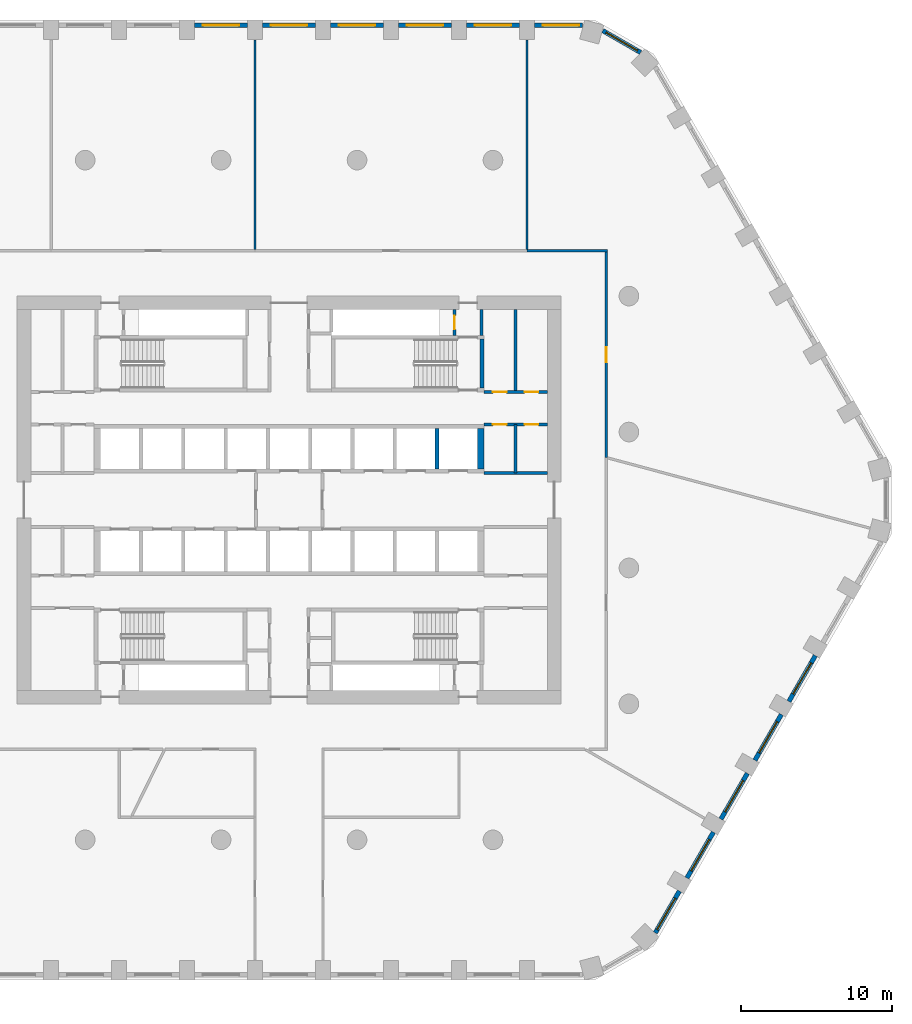
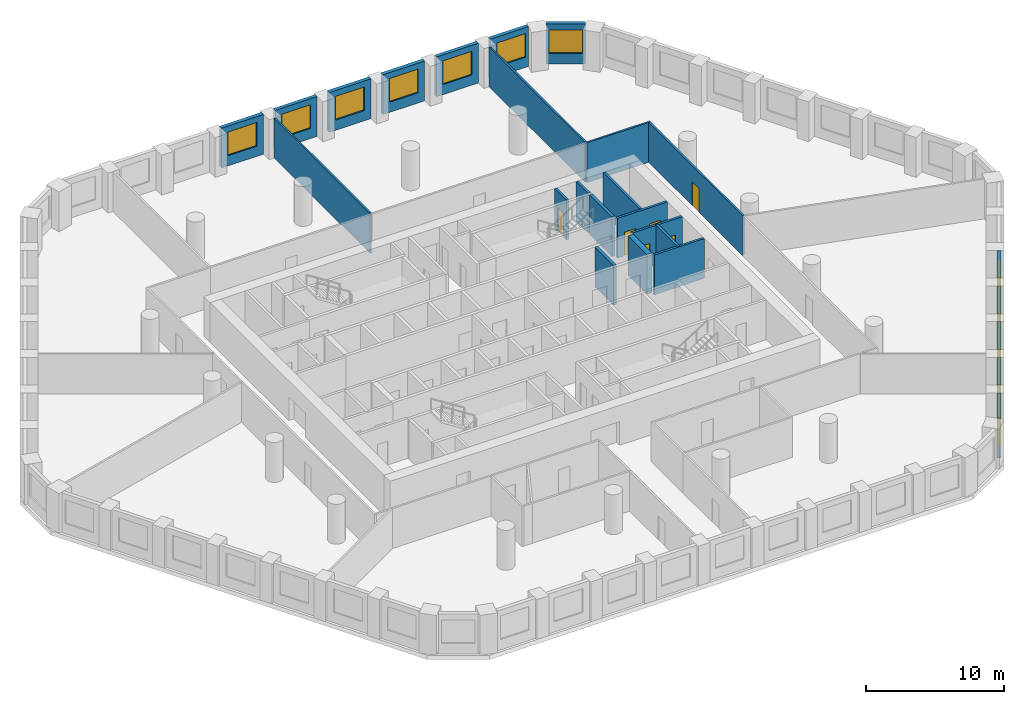
# One storey, part 7 of 9: 26 walls, 12 windows, 6 doors, 18 openings.
"""IFC4 building model written with IfcOpenShell, lengths in metres."""

from ifc_helpers import new_model, si_unit, direction, frame, frame_2d, origin, place, context, subcontext, project, spatial, polyline, rectangle, outline, extrude, material, layer, layer_set, type_object, element, fill, save


model = new_model("IFC4")

# Units and contexts
model_context = context("Model", 3, precision=1e-05, world=origin(), true_north=direction((0.0, 1.0)))
body_context = subcontext(model_context, "Body", "Model", "MODEL_VIEW")
ifc_project = project(units=[si_unit("LENGTHUNIT", "METRE"), si_unit("AREAUNIT", "SQUARE_METRE"), si_unit("VOLUMEUNIT", "CUBIC_METRE"), si_unit("PLANEANGLEUNIT", "RADIAN"), si_unit("MASSUNIT", "GRAM", prefix="KILO")], contexts=[model_context])

# Site, building, storey
site_placement = place(None, origin())
site = spatial("IfcSite", under=ifc_project, at=site_placement, CompositionType="ELEMENT")
building_placement = place(site_placement, origin())
building = spatial("IfcBuilding", under=site, at=building_placement, Name="Dhurran Vertical Campus", CompositionType="ELEMENT")
storey_placement = place(building_placement, frame((0.0, 0.0, 116.39990234375)))
storey = spatial("IfcBuildingStorey", under=building, at=storey_placement, Name="L28", CompositionType="ELEMENT", Elevation=116.39990234375)

# Wall, opening, window
ifc_material_1 = material(Name="Precast concrete C50/60", Category="concrete")
ifc_layer_1 = layer(ifc_material_1, 0.300048828125)
ifc_layer_set_1 = layer_set([ifc_layer_1], Name="Precast concrete C50/60")
wall_type_1 = type_object("IfcWallType", Name="Precast spandrel wall 300", PredefinedType="SOLIDWALL", material=ifc_layer_set_1)
wall_1_placement = place(storey_placement, frame((24.24755859375, -28.65576171875, 0.0), z_axis=(0.0, 0.0, 1.0), x_axis=(0.500004907028, 0.866022570692, 0.0)))
wall_1 = element("IfcWall", 1, at=wall_1_placement, inside=storey, type_object=wall_type_1, Name="EW1 L28.10", PredefinedType="SOLIDWALL", context=body_context, shape_type="SweptSolid", body=[
    extrude(rectangle(XDim=3.1923828125, YDim=0.300048828125, at=frame_2d((1.59619140625, 0.0))), origin(), (0.0, 0.0, 1.0), 3.525146484375),
])
opening_1_placement = place(wall_1_placement, frame((0.242919921875, 0.0, 0.89990234375)))
opening_1 = element("IfcOpeningElement", 2, at=opening_1_placement, cuts=wall_1, Name="Opening WT1", PredefinedType="OPENING", context=body_context, shape_type="SweptSolid", body=[
    extrude(rectangle(XDim=2.39990234375, YDim=2.10009765625, at=frame_2d((1.199951171875, 1.050048828125))), frame((0.0, 0.159912109375, 0.0), z_axis=(0.0, -1.0, 0.0), x_axis=(1.0, 0.0, 0.0)), (0.0, 0.0, 1.0), 0.320068359375),
])
ifc_material_2 = material(Name="Aluminium frame with solar-control glass", Category="aluminium")
window_type = type_object("IfcWindowType", Name="Punched window 2400 x 2100", PartitioningType="SINGLE_PANEL", PredefinedType="WINDOW", material=ifc_material_2)
window_1_placement = place(opening_1_placement, origin())
window_1 = element("IfcWindow", 3, at=window_1_placement, inside=storey, type_object=window_type, Name="WT1 L28.10", OverallHeight=2.10009765625, OverallWidth=2.39990234375, PartitioningType="SINGLE_PANEL", PredefinedType="WINDOW", context=body_context, shape_type="SweptSolid", body=[
    extrude(rectangle(XDim=2.39990234375, YDim=2.10009765625, at=frame_2d((1.199951171875, 1.050048828125))), frame((0.0, 0.030029296875, 0.0), z_axis=(0.0, -1.0, 0.0), x_axis=(1.0, 0.0, 0.0)), (0.0, 0.0, 1.0), 0.06005859375),
])
fill(opening_1, window_1)

wall_2_placement = place(storey_placement, frame((26.34423828125, -25.024169921875, 0.0), z_axis=(0.0, 0.0, 1.0), x_axis=(0.499996256241, 0.866027565234, 0.0)))
wall_2 = element("IfcWall", 4, at=wall_2_placement, inside=storey, type_object=wall_type_1, Name="EW1 L28.11", PredefinedType="SOLIDWALL", context=body_context, shape_type="SweptSolid", body=[
    extrude(rectangle(XDim=3.4990234375, YDim=0.300048828125, at=frame_2d((1.74951171875, 0.0))), origin(), (0.0, 0.0, 1.0), 3.525146484375),
])
opening_2_placement = place(wall_2_placement, frame((0.549560546875, 0.0, 0.89990234375)))
opening_2 = element("IfcOpeningElement", 5, at=opening_2_placement, cuts=wall_2, Name="Opening WT1", PredefinedType="OPENING", context=body_context, shape_type="SweptSolid", body=[
    extrude(rectangle(XDim=2.39990234375, YDim=2.10009765625, at=frame_2d((1.199951171875, 1.050048828125))), frame((0.0, 0.159912109375, 0.0), z_axis=(0.0, -1.0, 0.0), x_axis=(1.0, 0.0, 0.0)), (0.0, 0.0, 1.0), 0.320068359375),
])
window_2_placement = place(opening_2_placement, origin())
window_2 = element("IfcWindow", 6, at=window_2_placement, inside=storey, type_object=window_type, Name="WT1 L28.11", OverallHeight=2.10009765625, OverallWidth=2.39990234375, PartitioningType="SINGLE_PANEL", PredefinedType="WINDOW", context=body_context, shape_type="SweptSolid", body=[
    extrude(rectangle(XDim=2.39990234375, YDim=2.10009765625, at=frame_2d((1.199951171875, 1.050048828125))), frame((0.0, 0.030029296875, 0.0), z_axis=(0.0, -1.0, 0.0), x_axis=(1.0, 0.0, 0.0)), (0.0, 0.0, 1.0), 0.06005859375),
])
fill(opening_2, window_2)

wall_3_placement = place(storey_placement, frame((28.59423828125, -21.127197265625, 0.0), z_axis=(0.0, 0.0, 1.0), x_axis=(0.499996256241, 0.866027565234, 0.0)))
wall_3 = element("IfcWall", 7, at=wall_3_placement, inside=storey, type_object=wall_type_1, Name="EW1 L28.12", PredefinedType="SOLIDWALL", context=body_context, shape_type="SweptSolid", body=[
    extrude(rectangle(XDim=3.4990234375, YDim=0.300048828125, at=frame_2d((1.74951171875, 0.0))), origin(), (0.0, 0.0, 1.0), 3.525146484375),
])
opening_3_placement = place(wall_3_placement, frame((0.549560546875, 0.0, 0.89990234375)))
opening_3 = element("IfcOpeningElement", 8, at=opening_3_placement, cuts=wall_3, Name="Opening WT1", PredefinedType="OPENING", context=body_context, shape_type="SweptSolid", body=[
    extrude(rectangle(XDim=2.39990234375, YDim=2.10009765625, at=frame_2d((1.199951171875, 1.050048828125))), frame((0.0, 0.159912109375, 0.0), z_axis=(0.0, -1.0, 0.0), x_axis=(1.0, 0.0, 0.0)), (0.0, 0.0, 1.0), 0.320068359375),
])
window_3_placement = place(opening_3_placement, origin())
window_3 = element("IfcWindow", 9, at=window_3_placement, inside=storey, type_object=window_type, Name="WT1 L28.12", OverallHeight=2.10009765625, OverallWidth=2.39990234375, PartitioningType="SINGLE_PANEL", PredefinedType="WINDOW", context=body_context, shape_type="SweptSolid", body=[
    extrude(rectangle(XDim=2.39990234375, YDim=2.10009765625, at=frame_2d((1.199951171875, 1.050048828125))), frame((0.0, 0.030029296875, 0.0), z_axis=(0.0, -1.0, 0.0), x_axis=(1.0, 0.0, 0.0)), (0.0, 0.0, 1.0), 0.06005859375),
])
fill(opening_3, window_3)

wall_4_placement = place(storey_placement, frame((30.84423828125, -17.22998046875, 0.0), z_axis=(0.0, 0.0, 1.0), x_axis=(0.499996256241, 0.866027565234, 0.0)))
wall_4 = element("IfcWall", 10, at=wall_4_placement, inside=storey, type_object=wall_type_1, Name="EW1 L28.13", PredefinedType="SOLIDWALL", context=body_context, shape_type="SweptSolid", body=[
    extrude(rectangle(XDim=3.4990234375, YDim=0.300048828125, at=frame_2d((1.74951171875, 0.0))), origin(), (0.0, 0.0, 1.0), 3.525146484375),
])
opening_4_placement = place(wall_4_placement, frame((0.549560546875, 0.0, 0.89990234375)))
opening_4 = element("IfcOpeningElement", 11, at=opening_4_placement, cuts=wall_4, Name="Opening WT1", PredefinedType="OPENING", context=body_context, shape_type="SweptSolid", body=[
    extrude(rectangle(XDim=2.39990234375, YDim=2.10009765625, at=frame_2d((1.199951171875, 1.050048828125))), frame((0.0, 0.159912109375, 0.0), z_axis=(0.0, -1.0, 0.0), x_axis=(1.0, 0.0, 0.0)), (0.0, 0.0, 1.0), 0.320068359375),
])
window_4_placement = place(opening_4_placement, origin())
window_4 = element("IfcWindow", 12, at=window_4_placement, inside=storey, type_object=window_type, Name="WT1 L28.13", OverallHeight=2.10009765625, OverallWidth=2.39990234375, PartitioningType="SINGLE_PANEL", PredefinedType="WINDOW", context=body_context, shape_type="SweptSolid", body=[
    extrude(rectangle(XDim=2.39990234375, YDim=2.10009765625, at=frame_2d((1.199951171875, 1.050048828125))), frame((0.0, 0.030029296875, 0.0), z_axis=(0.0, -1.0, 0.0), x_axis=(1.0, 0.0, 0.0)), (0.0, 0.0, 1.0), 0.06005859375),
])
fill(opening_4, window_4)

wall_5_placement = place(storey_placement, frame((33.09423828125, -13.3330078125, 0.0), z_axis=(0.0, 0.0, 1.0), x_axis=(0.499996256241, 0.866027565234, 0.0)))
wall_5 = element("IfcWall", 13, at=wall_5_placement, inside=storey, type_object=wall_type_1, Name="EW1 L28.14", PredefinedType="SOLIDWALL", context=body_context, shape_type="SweptSolid", body=[
    extrude(rectangle(XDim=3.4990234375, YDim=0.300048828125, at=frame_2d((1.74951171875, 0.0))), origin(), (0.0, 0.0, 1.0), 3.525146484375),
])
opening_5_placement = place(wall_5_placement, frame((0.549560546875, 0.0, 0.89990234375)))
opening_5 = element("IfcOpeningElement", 14, at=opening_5_placement, cuts=wall_5, Name="Opening WT1", PredefinedType="OPENING", context=body_context, shape_type="SweptSolid", body=[
    extrude(rectangle(XDim=2.39990234375, YDim=2.10009765625, at=frame_2d((1.199951171875, 1.050048828125))), frame((0.0, 0.159912109375, 0.0), z_axis=(0.0, -1.0, 0.0), x_axis=(1.0, 0.0, 0.0)), (0.0, 0.0, 1.0), 0.320068359375),
])
window_5_placement = place(opening_5_placement, origin())
window_5 = element("IfcWindow", 15, at=window_5_placement, inside=storey, type_object=window_type, Name="WT1 L28.14", OverallHeight=2.10009765625, OverallWidth=2.39990234375, PartitioningType="SINGLE_PANEL", PredefinedType="WINDOW", context=body_context, shape_type="SweptSolid", body=[
    extrude(rectangle(XDim=2.39990234375, YDim=2.10009765625, at=frame_2d((1.199951171875, 1.050048828125))), frame((0.0, 0.030029296875, 0.0), z_axis=(0.0, -1.0, 0.0), x_axis=(1.0, 0.0, 0.0)), (0.0, 0.0, 1.0), 0.06005859375),
])
fill(opening_5, window_5)

wall_6_placement = place(storey_placement, frame((23.273193359375, 29.63037109375, 0.0), z_axis=(0.0, 0.0, 1.0), x_axis=(-0.866053149362, 0.49995194017, 0.0)))
wall_6 = element("IfcWall", 16, at=wall_6_placement, inside=storey, type_object=wall_type_1, Name="EW1 L28.25", PredefinedType="SOLIDWALL", context=body_context, shape_type="SweptSolid", body=[
    extrude(rectangle(XDim=2.885498046875, YDim=0.300048828125, at=frame_2d((1.44287109375, 0.0))), origin(), (0.0, 0.0, 1.0), 3.525146484375),
])
opening_6_placement = place(wall_6_placement, frame((0.242919921875, 0.0, 0.89990234375)))
opening_6 = element("IfcOpeningElement", 17, at=opening_6_placement, cuts=wall_6, Name="Opening WT1", PredefinedType="OPENING", context=body_context, shape_type="SweptSolid", body=[
    extrude(rectangle(XDim=2.39990234375, YDim=2.10009765625, at=frame_2d((1.199951171875, 1.050048828125))), frame((0.0, 0.159912109375, 0.0), z_axis=(0.0, -1.0, 0.0), x_axis=(1.0, 0.0, 0.0)), (0.0, 0.0, 1.0), 0.320068359375),
])
window_6_placement = place(opening_6_placement, origin())
window_6 = element("IfcWindow", 18, at=window_6_placement, inside=storey, type_object=window_type, Name="WT1 L28.25", OverallHeight=2.10009765625, OverallWidth=2.39990234375, PartitioningType="SINGLE_PANEL", PredefinedType="WINDOW", context=body_context, shape_type="SweptSolid", body=[
    extrude(rectangle(XDim=2.39990234375, YDim=2.10009765625, at=frame_2d((1.199951171875, 1.050048828125))), frame((0.0, 0.030029296875, 0.0), z_axis=(0.0, -1.0, 0.0), x_axis=(1.0, 0.0, 0.0)), (0.0, 0.0, 1.0), 0.06005859375),
])
fill(opening_6, window_6)

wall_7_placement = place(storey_placement, frame((19.44287109375, 31.4296875, 0.0), z_axis=(0.0, 0.0, 1.0), x_axis=(-1.0, 0.0, 0.0)))
wall_7 = element("IfcWall", 19, at=wall_7_placement, inside=storey, type_object=wall_type_1, Name="EW1 L28.26", PredefinedType="SOLIDWALL", context=body_context, shape_type="SweptSolid", body=[
    extrude(rectangle(XDim=3.1923828125, YDim=0.300048828125, at=frame_2d((1.59619140625, 0.0))), origin(), (0.0, 0.0, 1.0), 3.525146484375),
])
opening_7_placement = place(wall_7_placement, frame((0.242919921875, 0.0, 0.89990234375)))
opening_7 = element("IfcOpeningElement", 20, at=opening_7_placement, cuts=wall_7, Name="Opening WT1", PredefinedType="OPENING", context=body_context, shape_type="SweptSolid", body=[
    extrude(rectangle(XDim=2.39990234375, YDim=2.10009765625, at=frame_2d((1.199951171875, 1.050048828125))), frame((0.0, 0.159912109375, 0.0), z_axis=(0.0, -1.0, 0.0), x_axis=(1.0, 0.0, 0.0)), (0.0, 0.0, 1.0), 0.320068359375),
])
window_7_placement = place(opening_7_placement, origin())
window_7 = element("IfcWindow", 21, at=window_7_placement, inside=storey, type_object=window_type, Name="WT1 L28.26", OverallHeight=2.10009765625, OverallWidth=2.39990234375, PartitioningType="SINGLE_PANEL", PredefinedType="WINDOW", context=body_context, shape_type="SweptSolid", body=[
    extrude(rectangle(XDim=2.39990234375, YDim=2.10009765625, at=frame_2d((1.199951171875, 1.050048828125))), frame((0.0, 0.030029296875, 0.0), z_axis=(0.0, -1.0, 0.0), x_axis=(1.0, 0.0, 0.0)), (0.0, 0.0, 1.0), 0.06005859375),
])
fill(opening_7, window_7)

wall_8_placement = place(storey_placement, frame((15.24951171875, 31.4296875, 0.0), z_axis=(0.0, 0.0, 1.0), x_axis=(-1.0, 0.0, 0.0)))
wall_8 = element("IfcWall", 22, at=wall_8_placement, inside=storey, type_object=wall_type_1, Name="EW1 L28.27", PredefinedType="SOLIDWALL", context=body_context, shape_type="SweptSolid", body=[
    extrude(rectangle(XDim=3.4990234375, YDim=0.300048828125, at=frame_2d((1.74951171875, 0.0))), origin(), (0.0, 0.0, 1.0), 3.525146484375),
])
opening_8_placement = place(wall_8_placement, frame((0.549560546875, 0.0, 0.89990234375)))
opening_8 = element("IfcOpeningElement", 23, at=opening_8_placement, cuts=wall_8, Name="Opening WT1", PredefinedType="OPENING", context=body_context, shape_type="SweptSolid", body=[
    extrude(rectangle(XDim=2.39990234375, YDim=2.10009765625, at=frame_2d((1.199951171875, 1.050048828125))), frame((0.0, 0.159912109375, 0.0), z_axis=(0.0, -1.0, 0.0), x_axis=(1.0, 0.0, 0.0)), (0.0, 0.0, 1.0), 0.320068359375),
])
window_8_placement = place(opening_8_placement, origin())
window_8 = element("IfcWindow", 24, at=window_8_placement, inside=storey, type_object=window_type, Name="WT1 L28.27", OverallHeight=2.10009765625, OverallWidth=2.39990234375, PartitioningType="SINGLE_PANEL", PredefinedType="WINDOW", context=body_context, shape_type="SweptSolid", body=[
    extrude(rectangle(XDim=2.39990234375, YDim=2.10009765625, at=frame_2d((1.199951171875, 1.050048828125))), frame((0.0, 0.030029296875, 0.0), z_axis=(0.0, -1.0, 0.0), x_axis=(1.0, 0.0, 0.0)), (0.0, 0.0, 1.0), 0.06005859375),
])
fill(opening_8, window_8)

wall_9_placement = place(storey_placement, frame((10.74951171875, 31.4296875, 0.0), z_axis=(0.0, 0.0, 1.0), x_axis=(-1.0, 0.0, 0.0)))
wall_9 = element("IfcWall", 25, at=wall_9_placement, inside=storey, type_object=wall_type_1, Name="EW1 L28.28", PredefinedType="SOLIDWALL", context=body_context, shape_type="SweptSolid", body=[
    extrude(rectangle(XDim=3.4990234375, YDim=0.300048828125, at=frame_2d((1.74951171875, 0.0))), origin(), (0.0, 0.0, 1.0), 3.525146484375),
])
opening_9_placement = place(wall_9_placement, frame((0.549560546875, 0.0, 0.89990234375)))
opening_9 = element("IfcOpeningElement", 26, at=opening_9_placement, cuts=wall_9, Name="Opening WT1", PredefinedType="OPENING", context=body_context, shape_type="SweptSolid", body=[
    extrude(rectangle(XDim=2.39990234375, YDim=2.10009765625, at=frame_2d((1.199951171875, 1.050048828125))), frame((0.0, 0.159912109375, 0.0), z_axis=(0.0, -1.0, 0.0), x_axis=(1.0, 0.0, 0.0)), (0.0, 0.0, 1.0), 0.320068359375),
])
window_9_placement = place(opening_9_placement, origin())
window_9 = element("IfcWindow", 27, at=window_9_placement, inside=storey, type_object=window_type, Name="WT1 L28.28", OverallHeight=2.10009765625, OverallWidth=2.39990234375, PartitioningType="SINGLE_PANEL", PredefinedType="WINDOW", context=body_context, shape_type="SweptSolid", body=[
    extrude(rectangle(XDim=2.39990234375, YDim=2.10009765625, at=frame_2d((1.199951171875, 1.050048828125))), frame((0.0, 0.030029296875, 0.0), z_axis=(0.0, -1.0, 0.0), x_axis=(1.0, 0.0, 0.0)), (0.0, 0.0, 1.0), 0.06005859375),
])
fill(opening_9, window_9)

wall_10_placement = place(storey_placement, frame((6.24951171875, 31.4296875, 0.0), z_axis=(0.0, 0.0, 1.0), x_axis=(-1.0, 0.0, 0.0)))
wall_10 = element("IfcWall", 28, at=wall_10_placement, inside=storey, type_object=wall_type_1, Name="EW1 L28.29", PredefinedType="SOLIDWALL", context=body_context, shape_type="SweptSolid", body=[
    extrude(rectangle(XDim=3.4990234375, YDim=0.300048828125, at=frame_2d((1.74951171875, 0.0))), origin(), (0.0, 0.0, 1.0), 3.525146484375),
])
opening_10_placement = place(wall_10_placement, frame((0.549560546875, 0.0, 0.89990234375)))
opening_10 = element("IfcOpeningElement", 29, at=opening_10_placement, cuts=wall_10, Name="Opening WT1", PredefinedType="OPENING", context=body_context, shape_type="SweptSolid", body=[
    extrude(rectangle(XDim=2.39990234375, YDim=2.10009765625, at=frame_2d((1.199951171875, 1.050048828125))), frame((0.0, 0.159912109375, 0.0), z_axis=(0.0, -1.0, 0.0), x_axis=(1.0, 0.0, 0.0)), (0.0, 0.0, 1.0), 0.320068359375),
])
window_10_placement = place(opening_10_placement, origin())
window_10 = element("IfcWindow", 30, at=window_10_placement, inside=storey, type_object=window_type, Name="WT1 L28.29", OverallHeight=2.10009765625, OverallWidth=2.39990234375, PartitioningType="SINGLE_PANEL", PredefinedType="WINDOW", context=body_context, shape_type="SweptSolid", body=[
    extrude(rectangle(XDim=2.39990234375, YDim=2.10009765625, at=frame_2d((1.199951171875, 1.050048828125))), frame((0.0, 0.030029296875, 0.0), z_axis=(0.0, -1.0, 0.0), x_axis=(1.0, 0.0, 0.0)), (0.0, 0.0, 1.0), 0.06005859375),
])
fill(opening_10, window_10)

wall_11_placement = place(storey_placement, frame((1.74951171875, 31.4296875, 0.0), z_axis=(0.0, 0.0, 1.0), x_axis=(-1.0, 0.0, 0.0)))
wall_11 = element("IfcWall", 31, at=wall_11_placement, inside=storey, type_object=wall_type_1, Name="EW1 L28.30", PredefinedType="SOLIDWALL", context=body_context, shape_type="SweptSolid", body=[
    extrude(rectangle(XDim=3.4990234375, YDim=0.300048828125, at=frame_2d((1.74951171875, 0.0))), origin(), (0.0, 0.0, 1.0), 3.525146484375),
])
opening_11_placement = place(wall_11_placement, frame((0.549560546875, 0.0, 0.89990234375)))
opening_11 = element("IfcOpeningElement", 32, at=opening_11_placement, cuts=wall_11, Name="Opening WT1", PredefinedType="OPENING", context=body_context, shape_type="SweptSolid", body=[
    extrude(rectangle(XDim=2.39990234375, YDim=2.10009765625, at=frame_2d((1.199951171875, 1.050048828125))), frame((0.0, 0.159912109375, 0.0), z_axis=(0.0, -1.0, 0.0), x_axis=(1.0, 0.0, 0.0)), (0.0, 0.0, 1.0), 0.320068359375),
])
window_11_placement = place(opening_11_placement, origin())
window_11 = element("IfcWindow", 33, at=window_11_placement, inside=storey, type_object=window_type, Name="WT1 L28.30", OverallHeight=2.10009765625, OverallWidth=2.39990234375, PartitioningType="SINGLE_PANEL", PredefinedType="WINDOW", context=body_context, shape_type="SweptSolid", body=[
    extrude(rectangle(XDim=2.39990234375, YDim=2.10009765625, at=frame_2d((1.199951171875, 1.050048828125))), frame((0.0, 0.030029296875, 0.0), z_axis=(0.0, -1.0, 0.0), x_axis=(1.0, 0.0, 0.0)), (0.0, 0.0, 1.0), 0.06005859375),
])
fill(opening_11, window_11)

wall_12_placement = place(storey_placement, frame((-2.75048828125, 31.4296875, 0.0), z_axis=(0.0, 0.0, 1.0), x_axis=(-1.0, 0.0, 0.0)))
wall_12 = element("IfcWall", 34, at=wall_12_placement, inside=storey, type_object=wall_type_1, Name="EW1 L28.31", PredefinedType="SOLIDWALL", context=body_context, shape_type="SweptSolid", body=[
    extrude(rectangle(XDim=3.4990234375, YDim=0.300048828125, at=frame_2d((1.74951171875, 0.0))), origin(), (0.0, 0.0, 1.0), 3.525146484375),
])
opening_12_placement = place(wall_12_placement, frame((0.549560546875, 0.0, 0.89990234375)))
opening_12 = element("IfcOpeningElement", 35, at=opening_12_placement, cuts=wall_12, Name="Opening WT1", PredefinedType="OPENING", context=body_context, shape_type="SweptSolid", body=[
    extrude(rectangle(XDim=2.39990234375, YDim=2.10009765625, at=frame_2d((1.199951171875, 1.050048828125))), frame((0.0, 0.159912109375, 0.0), z_axis=(0.0, -1.0, 0.0), x_axis=(1.0, 0.0, 0.0)), (0.0, 0.0, 1.0), 0.320068359375),
])
window_12_placement = place(opening_12_placement, origin())
window_12 = element("IfcWindow", 36, at=window_12_placement, inside=storey, type_object=window_type, Name="WT1 L28.31", OverallHeight=2.10009765625, OverallWidth=2.39990234375, PartitioningType="SINGLE_PANEL", PredefinedType="WINDOW", context=body_context, shape_type="SweptSolid", body=[
    extrude(rectangle(XDim=2.39990234375, YDim=2.10009765625, at=frame_2d((1.199951171875, 1.050048828125))), frame((0.0, 0.030029296875, 0.0), z_axis=(0.0, -1.0, 0.0), x_axis=(1.0, 0.0, 0.0)), (0.0, 0.0, 1.0), 0.06005859375),
])
fill(opening_12, window_12)

# Wall
ifc_material_3 = material(Name="Fire-rated masonry blockwork", Category="masonry")
ifc_layer_2 = layer(ifc_material_3, 0.199951171875)
ifc_layer_set_2 = layer_set([ifc_layer_2], Name="Fire-rated masonry blockwork")
wall_type_2 = type_object("IfcWallType", Name="co-FIRE-PARTITION-200", PredefinedType="PARTITIONING", material=ifc_layer_set_2)
wall_13_placement = place(storey_placement, frame((12.75, 10.89990234375, 0.0), z_axis=(0.0, 0.0, 1.0), x_axis=(0.0, 1.0, 0.0)))
element("IfcWall", 37, at=wall_13_placement, inside=storey, type_object=wall_type_2, Name="Core partition pass-ST2-o L28", PredefinedType="PARTITIONING", context=body_context, shape_type="SweptSolid", body=[
    extrude(rectangle(XDim=1.7001953125, YDim=0.199951171875, at=frame_2d((0.85009765625, 0.0))), origin(), (0.0, 0.0, 1.0), 3.525146484375),
])

# Wall, opening, door
wall_14_placement = place(storey_placement, frame((10.949951171875, 10.89990234375, 0.0), z_axis=(0.0, 0.0, 1.0), x_axis=(0.0, 1.0, 0.0)))
wall_14 = element("IfcWall", 38, at=wall_14_placement, inside=storey, type_object=wall_type_2, Name="Core partition pass-ST2-i L28", PredefinedType="PARTITIONING", context=body_context, shape_type="SweptSolid", body=[
    extrude(rectangle(XDim=1.7001953125, YDim=0.199951171875, at=frame_2d((0.85009765625, 0.0))), origin(), (0.0, 0.0, 1.0), 3.525146484375),
])
opening_13_placement = place(wall_14_placement, frame((0.39990234375, 0.0, 0.0)))
opening_13 = element("IfcOpeningElement", 39, at=opening_13_placement, cuts=wall_14, Name="Opening T08-C10", PredefinedType="OPENING", context=body_context, shape_type="SweptSolid", body=[
    extrude(rectangle(XDim=0.89990234375, YDim=2.10009765625, at=frame_2d((0.449951171875, 1.050048828125))), frame((0.0, 0.10986328125, 0.0), z_axis=(0.0, -1.0, 0.0), x_axis=(1.0, 0.0, 0.0)), (0.0, 0.0, 1.0), 0.219970703125),
])
ifc_material_4 = material(Name="Fire-rated timber door set", Category="wood")
door_type_1 = type_object("IfcDoorType", Name="co-D-ROOM 900x2100", OperationType="SINGLE_SWING_LEFT", PredefinedType="DOOR", material=ifc_material_4)
door_1_placement = place(opening_13_placement, origin())
door_1 = element("IfcDoor", 40, at=door_1_placement, inside=storey, type_object=door_type_1, Name="Riser room door L28", OperationType="SINGLE_SWING_LEFT", OverallHeight=2.10009765625, OverallWidth=0.89990234375, PredefinedType="DOOR", context=body_context, shape_type="SweptSolid", body=[
    extrude(rectangle(XDim=0.89990234375, YDim=2.10009765625, at=frame_2d((0.449951171875, 1.050048828125))), frame((0.0, 0.02490234375, 0.0), z_axis=(0.0, -1.0, 0.0), x_axis=(1.0, 0.0, 0.0)), (0.0, 0.0, 1.0), 0.050048828125),
])
fill(opening_13, door_1)

# Wall
wall_15_placement = place(storey_placement, frame((15.0, 7.14990234375, 0.0), z_axis=(0.0, 0.0, 1.0), x_axis=(0.0, 1.0, 0.0)))
element("IfcWall", 41, at=wall_15_placement, inside=storey, type_object=wall_type_2, Name="Core partition en-NE-cut0 L28", PredefinedType="PARTITIONING", context=body_context, shape_type="SweptSolid", body=[
    extrude(rectangle(XDim=5.4501953125, YDim=0.199951171875, at=frame_2d((2.72509765625, 0.0))), origin(), (0.0, 0.0, 1.0), 3.525146484375),
])

# Wall, openings, doors
wall_16_placement = place(storey_placement, frame((12.89990234375, 7.14990234375, 0.0), z_axis=(0.0, 0.0, 1.0), x_axis=(1.0, 0.0, 0.0)))
wall_16 = element("IfcWall", 42, at=wall_16_placement, inside=storey, type_object=wall_type_2, Name="Core partition en-NE-w L28", PredefinedType="PARTITIONING", context=body_context, shape_type="SweptSolid", body=[
    extrude(rectangle(XDim=4.2001953125, YDim=0.199951171875, at=frame_2d((2.10009765625, 0.0))), origin(), (0.0, 0.0, 1.0), 3.525146484375),
])
opening_14_placement = place(wall_16_placement, frame((0.60009765625, 0.0, 0.0)))
opening_14 = element("IfcOpeningElement", 43, at=opening_14_placement, cuts=wall_16, Name="Opening T08-C17", PredefinedType="OPENING", context=body_context, shape_type="SweptSolid", body=[
    extrude(rectangle(XDim=0.89990234375, YDim=2.10009765625, at=frame_2d((0.449951171875, 1.050048828125))), frame((0.0, 0.10986328125, 0.0), z_axis=(0.0, -1.0, 0.0), x_axis=(1.0, 0.0, 0.0)), (0.0, 0.0, 1.0), 0.219970703125),
])
opening_15_placement = place(wall_16_placement, frame((2.699951171875, 0.0, 0.0)))
opening_15 = element("IfcOpeningElement", 44, at=opening_15_placement, cuts=wall_16, Name="Opening T08-C18", PredefinedType="OPENING", context=body_context, shape_type="SweptSolid", body=[
    extrude(rectangle(XDim=0.89990234375, YDim=2.10009765625, at=frame_2d((0.449951171875, 1.050048828125))), frame((0.0, 0.10986328125, 0.0), z_axis=(0.0, -1.0, 0.0), x_axis=(1.0, 0.0, 0.0)), (0.0, 0.0, 1.0), 0.219970703125),
])
door_2_placement = place(opening_14_placement, origin())
door_2 = element("IfcDoor", 45, at=door_2_placement, inside=storey, type_object=door_type_1, Name="Electrical riser door L28", OperationType="SINGLE_SWING_LEFT", OverallHeight=2.10009765625, OverallWidth=0.89990234375, PredefinedType="DOOR", context=body_context, shape_type="SweptSolid", body=[
    extrude(rectangle(XDim=0.89990234375, YDim=2.10009765625, at=frame_2d((0.449951171875, 1.050048828125))), frame((0.0, 0.02490234375, 0.0), z_axis=(0.0, -1.0, 0.0), x_axis=(1.0, 0.0, 0.0)), (0.0, 0.0, 1.0), 0.050048828125),
])
fill(opening_14, door_2)
door_3_placement = place(opening_15_placement, origin())
door_3 = element("IfcDoor", 46, at=door_3_placement, inside=storey, type_object=door_type_1, Name="Cleaner's store door L28", OperationType="SINGLE_SWING_LEFT", OverallHeight=2.10009765625, OverallWidth=0.89990234375, PredefinedType="DOOR", context=body_context, shape_type="SweptSolid", body=[
    extrude(rectangle(XDim=0.89990234375, YDim=2.10009765625, at=frame_2d((0.449951171875, 1.050048828125))), frame((0.0, 0.02490234375, 0.0), z_axis=(0.0, -1.0, 0.0), x_axis=(1.0, 0.0, 0.0)), (0.0, 0.0, 1.0), 0.050048828125),
])
fill(opening_15, door_3)

# Wall
wall_17_placement = place(storey_placement, frame((15.0, 1.800048828125, 0.0), z_axis=(0.0, 0.0, 1.0), x_axis=(0.0, 1.0, 0.0)))
element("IfcWall", 47, at=wall_17_placement, inside=storey, type_object=wall_type_2, Name="Core partition es-NE-cut0 L28", PredefinedType="PARTITIONING", context=body_context, shape_type="SweptSolid", body=[
    extrude(rectangle(XDim=3.199951171875, YDim=0.199951171875, at=frame_2d((1.60009765625, 0.0))), origin(), (0.0, 0.0, 1.0), 3.525146484375),
])

# Wall, openings, doors
wall_18_placement = place(storey_placement, frame((12.89990234375, 5.0, 0.0), z_axis=(0.0, 0.0, 1.0), x_axis=(1.0, 0.0, 0.0)))
wall_18 = element("IfcWall", 48, at=wall_18_placement, inside=storey, type_object=wall_type_2, Name="Core partition es-NE-w L28", PredefinedType="PARTITIONING", context=body_context, shape_type="SweptSolid", body=[
    extrude(rectangle(XDim=4.2001953125, YDim=0.199951171875, at=frame_2d((2.10009765625, 0.0))), origin(), (0.0, 0.0, 1.0), 3.525146484375),
])
opening_16_placement = place(wall_18_placement, frame((0.60009765625, 0.0, 0.0)))
opening_16 = element("IfcOpeningElement", 49, at=opening_16_placement, cuts=wall_18, Name="Opening T08-C19", PredefinedType="OPENING", context=body_context, shape_type="SweptSolid", body=[
    extrude(rectangle(XDim=0.89990234375, YDim=2.10009765625, at=frame_2d((0.449951171875, 1.050048828125))), frame((0.0, 0.10986328125, 0.0), z_axis=(0.0, -1.0, 0.0), x_axis=(1.0, 0.0, 0.0)), (0.0, 0.0, 1.0), 0.219970703125),
])
opening_17_placement = place(wall_18_placement, frame((2.699951171875, 0.0, 0.0)))
opening_17 = element("IfcOpeningElement", 50, at=opening_17_placement, cuts=wall_18, Name="Opening T08-C20", PredefinedType="OPENING", context=body_context, shape_type="SweptSolid", body=[
    extrude(rectangle(XDim=0.89990234375, YDim=2.10009765625, at=frame_2d((0.449951171875, 1.050048828125))), frame((0.0, 0.10986328125, 0.0), z_axis=(0.0, -1.0, 0.0), x_axis=(1.0, 0.0, 0.0)), (0.0, 0.0, 1.0), 0.219970703125),
])
door_4_placement = place(opening_16_placement, origin())
door_4 = element("IfcDoor", 51, at=door_4_placement, inside=storey, type_object=door_type_1, Name="Electrical riser door L28", OperationType="SINGLE_SWING_LEFT", OverallHeight=2.10009765625, OverallWidth=0.89990234375, PredefinedType="DOOR", context=body_context, shape_type="SweptSolid", body=[
    extrude(rectangle(XDim=0.89990234375, YDim=2.10009765625, at=frame_2d((0.449951171875, 1.050048828125))), frame((0.0, 0.02490234375, 0.0), z_axis=(0.0, -1.0, 0.0), x_axis=(1.0, 0.0, 0.0)), (0.0, 0.0, 1.0), 0.050048828125),
])
fill(opening_16, door_4)
door_5_placement = place(opening_17_placement, origin())
door_5 = element("IfcDoor", 52, at=door_5_placement, inside=storey, type_object=door_type_1, Name="Server room door L28", OperationType="SINGLE_SWING_LEFT", OverallHeight=2.10009765625, OverallWidth=0.89990234375, PredefinedType="DOOR", context=body_context, shape_type="SweptSolid", body=[
    extrude(rectangle(XDim=0.89990234375, YDim=2.10009765625, at=frame_2d((0.449951171875, 1.050048828125))), frame((0.0, 0.02490234375, 0.0), z_axis=(0.0, -1.0, 0.0), x_axis=(1.0, 0.0, 0.0)), (0.0, 0.0, 1.0), 0.050048828125),
])
fill(opening_17, door_5)

# Walls
wall_19_placement = place(storey_placement, frame((12.89990234375, 1.800048828125, 0.0), z_axis=(0.0, 0.0, 1.0), x_axis=(1.0, 0.0, 0.0)))
element("IfcWall", 53, at=wall_19_placement, inside=storey, type_object=wall_type_2, Name="Core partition es-NE-l L28", PredefinedType="PARTITIONING", context=body_context, shape_type="SweptSolid", body=[
    extrude(rectangle(XDim=4.2001953125, YDim=0.199951171875, at=frame_2d((2.10009765625, 0.0))), origin(), (0.0, 0.0, 1.0), 3.525146484375),
])
ifc_material_5 = material(Name="Concrete C50/60", Category="concrete")
ifc_layer_3 = layer(ifc_material_5, 0.25)
ifc_layer_set_3 = layer_set([ifc_layer_3], Name="Concrete C50/60")
wall_type_3 = type_object("IfcWallType", Name="co-SHAFT-MASS-250", PredefinedType="SHEAR", material=ifc_layer_set_3)
wall_20_placement = place(storey_placement, origin())
element("IfcWall", 54, at=wall_20_placement, inside=storey, type_object=wall_type_3, Name="Lift shaft wall N L28 10", PredefinedType="SHEAR", context=body_context, shape_type="SweptSolid", body=[
    extrude(outline(polyline([(9.675048828125, 2.050048828125), (9.925048828125, 2.050048828125), (9.925048828125, 4.75), (9.675048828125, 4.75), (9.675048828125, 2.050048828125)])), origin(), (0.0, 0.0, 1.0), 3.525146484375),
])
wall_21_placement = place(storey_placement, origin())
element("IfcWall", 55, at=wall_21_placement, inside=storey, type_object=wall_type_3, Name="Lift shaft wall N L28 11", PredefinedType="SHEAR", context=body_context, shape_type="SweptSolid", body=[
    extrude(outline(polyline([(12.47509765625, 2.050048828125), (12.89990234375, 2.050048828125), (12.89990234375, 4.75), (12.47509765625, 4.75), (12.47509765625, 2.050048828125)])), origin(), (0.0, 0.0, 1.0), 3.525146484375),
])
ifc_material_6 = material(Name="Concrete C40/50", Category="concrete")
ifc_layer_4 = layer(ifc_material_6, 0.25)
ifc_layer_set_4 = layer_set([ifc_layer_4], Name="Concrete C40/50")
wall_type_4 = type_object("IfcWallType", Name="co-STAIR-WALL-250", PredefinedType="SHEAR", material=ifc_layer_set_4)
wall_22_placement = place(storey_placement, frame((12.77490234375, 7.39990234375, 0.0), z_axis=(0.0, 0.0, 1.0), x_axis=(0.0, 1.0, 0.0)))
element("IfcWall", 56, at=wall_22_placement, inside=storey, type_object=wall_type_4, Name="Stair ST2 enclosure wall L28", PredefinedType="SHEAR", context=body_context, shape_type="SweptSolid", body=[
    extrude(rectangle(XDim=3.25, YDim=0.25, at=frame_2d((1.625, 0.0))), origin(), (0.0, 0.0, 1.0), 3.525146484375),
])
ifc_material_7 = material(Name="Gypsum board corridor wall on steel studs", Category="steel")
ifc_layer_5 = layer(ifc_material_7, 0.14990234375)
ifc_layer_set_5 = layer_set([ifc_layer_5], Name="Gypsum board corridor wall on steel studs")
wall_type_5 = type_object("IfcWallType", Name="fl-CW-150 corridor wall", PredefinedType="PARTITIONING", material=ifc_layer_set_5)
wall_23_placement = place(storey_placement, frame((21.074951171875, 16.5, 0.0), z_axis=(0.0, 0.0, 1.0), x_axis=(-1.0, 0.0, 0.0)))
element("IfcWall", 57, at=wall_23_placement, inside=storey, type_object=wall_type_5, Name="Partition 28-29", PredefinedType="PARTITIONING", context=body_context, shape_type="SweptSolid", body=[
    extrude(rectangle(XDim=5.324951171875, YDim=0.14990234375, at=frame_2d((2.66259765625, 0.0))), origin(), (0.0, 0.0, 1.0), 3.525146484375),
])

# Wall, opening, door
wall_24_placement = place(storey_placement, frame((21.0, 2.81298828125, 0.0), z_axis=(0.0, 0.0, 1.0), x_axis=(0.0, 1.0, 0.0)))
wall_24 = element("IfcWall", 58, at=wall_24_placement, inside=storey, type_object=wall_type_5, Name="Partition 28-33", PredefinedType="PARTITIONING", context=body_context, shape_type="SweptSolid", body=[
    extrude(rectangle(XDim=13.612060546875, YDim=0.14990234375, at=frame_2d((6.80615234375, 0.0))), origin(), (0.0, 0.0, 1.0), 3.525146484375),
])
opening_18_placement = place(wall_24_placement, frame((6.305908203125, 0.0, 0.0)))
opening_18 = element("IfcOpeningElement", 59, at=opening_18_placement, cuts=wall_24, Name="Opening T08.11", PredefinedType="OPENING", context=body_context, shape_type="SweptSolid", body=[
    extrude(rectangle(XDim=1.0, YDim=2.10009765625, at=frame_2d((0.5, 1.050048828125))), frame((0.0, 0.0849609375, 0.0), z_axis=(0.0, -1.0, 0.0), x_axis=(1.0, 0.0, 0.0)), (0.0, 0.0, 1.0), 0.169921875),
])
ifc_material_8 = material(Name="Solid-core timber door set, fire-rated", Category="wood")
door_type_2 = type_object("IfcDoorType", Name="fl-D-1000x2100", OperationType="SINGLE_SWING_LEFT", PredefinedType="DOOR", material=ifc_material_8)
door_6_placement = place(opening_18_placement, origin())
door_6 = element("IfcDoor", 60, at=door_6_placement, inside=storey, type_object=door_type_2, Name="Door 28.11", OperationType="SINGLE_SWING_LEFT", OverallHeight=2.10009765625, OverallWidth=1.0, PredefinedType="DOOR", context=body_context, shape_type="SweptSolid", body=[
    extrude(rectangle(XDim=1.0, YDim=2.10009765625, at=frame_2d((0.5, 1.050048828125))), frame((0.0, 0.02490234375, 0.0), z_axis=(0.0, -1.0, 0.0), x_axis=(1.0, 0.0, 0.0)), (0.0, 0.0, 1.0), 0.050048828125),
])
fill(opening_18, door_6)

# Walls
ifc_material_9 = material(Name="Gypsum board partition on steel studs", Category="steel")
ifc_layer_6 = layer(ifc_material_9, 0.14990234375)
ifc_layer_set_6 = layer_set([ifc_layer_6], Name="Gypsum board partition on steel studs")
wall_type_6 = type_object("IfcWallType", Name="fl-PW-150 fixed partition", PredefinedType="PARTITIONING", material=ifc_layer_set_6)
for number, where, z_axis, x_axis, name in (
    (61, (-2.25, 30.459716796875, 0.0), (0.0, 0.0, 1.0), (0.0, -1.0, 0.0), "Partition 28-20"),
    (62, (15.75, 30.459716796875, 0.0), (0.0, 0.0, 1.0), (0.0, -1.0, 0.0), "Partition 28-28"),
):
    element("IfcWall", number, at=place(storey_placement, frame(where, z_axis=z_axis, x_axis=x_axis)), inside=storey, type_object=wall_type_6, Name=name, PredefinedType="PARTITIONING", context=body_context, shape_type="SweptSolid", body=[
        extrude(rectangle(XDim=13.884765625, YDim=0.14990234375, at=frame_2d((6.9423828125, 0.0))), origin(), (0.0, 0.0, 1.0), 3.525146484375),
    ])

save(model, "model.ifc")
